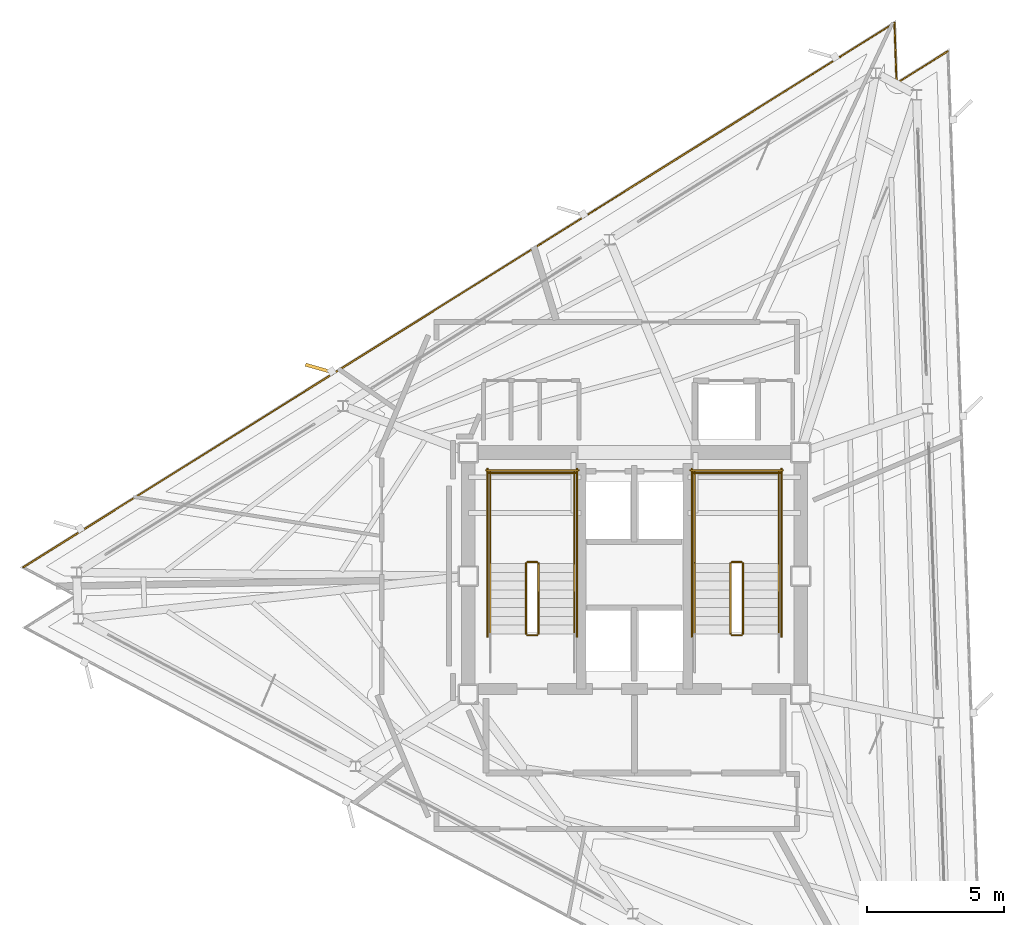
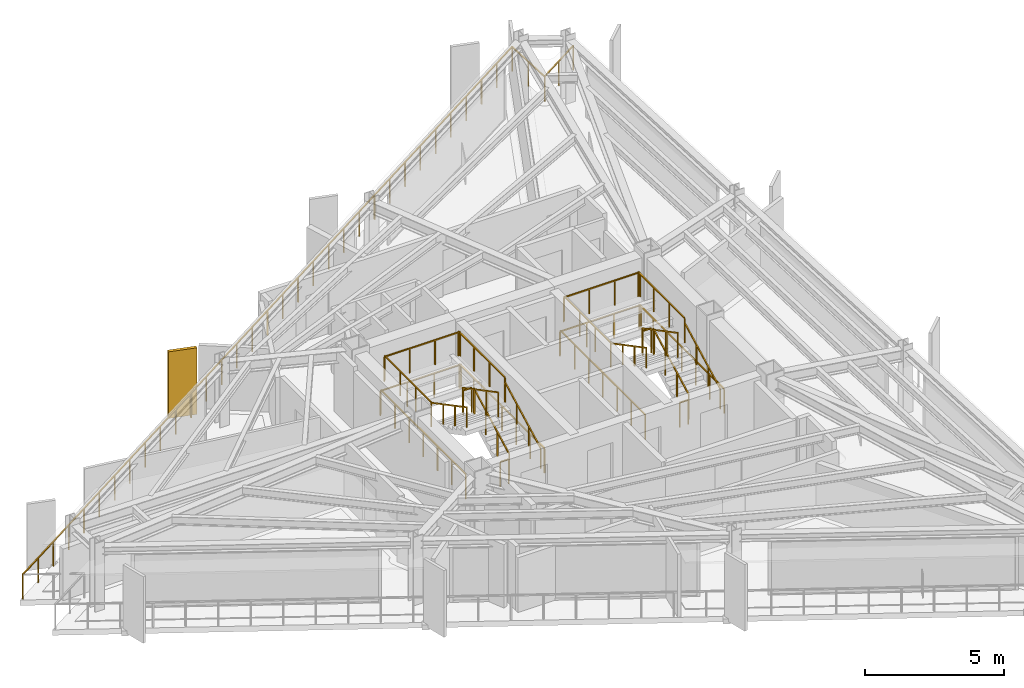
# One storey, part 12 of 13: 25 railings, 1 shading device.
"""IFC4 building model written with IfcOpenShell, lengths in metres."""

from ifc_helpers import new_model, si_unit, direction, frame, origin, origin_2d, place, context, subcontext, project, spatial, rectangle, extrude, material, layer, layer_set, type_object, element, save


model = new_model("IFC4")

# Units and contexts
model_context = context("Model", 3, precision=1e-05, world=origin(), true_north=direction((0.0, 1.0)))
body_context = subcontext(model_context, "Body", "Model", "MODEL_VIEW")
ifc_project = project(units=[si_unit("LENGTHUNIT", "METRE"), si_unit("AREAUNIT", "SQUARE_METRE"), si_unit("VOLUMEUNIT", "CUBIC_METRE"), si_unit("PLANEANGLEUNIT", "RADIAN"), si_unit("MASSUNIT", "GRAM", prefix="KILO")], contexts=[model_context])

# Site, building, storey
site_placement = place(None, origin())
site = spatial("IfcSite", under=ifc_project, at=site_placement, CompositionType="ELEMENT")
building_placement = place(site_placement, origin())
building = spatial("IfcBuilding", under=site, at=building_placement, Name="Rocaltana Carrier Exchange", CompositionType="ELEMENT")
storey_placement = place(building_placement, frame((0.0, 0.0, 199.679931640625)))
storey = spatial("IfcBuildingStorey", under=building, at=storey_placement, Name="L63", CompositionType="ELEMENT", Elevation=199.679931640625)

# Railings
ifc_material_1 = material(Name="Brushed Architectural Stainless Tube", Category="steel")
ifc_layer_1 = layer(ifc_material_1, 0.048095703125)
ifc_layer_set_1 = layer_set([ifc_layer_1], Name="Brushed Architectural Stainless Tube")
railing_type_1 = type_object("IfcRailingType", Name="Stair Wall Handrail 920", PredefinedType="HANDRAIL", material=ifc_layer_set_1)
railing_1_placement = place(storey_placement, frame((-2.18994140625, -2.10009765625, 0.1689453125)))
element("IfcRailing", 1, at=railing_1_placement, inside=storey, type_object=railing_type_1, Name="L63 ST-1 stair handrail 1", PredefinedType="HANDRAIL", context=body_context, shape_type="SweptSolid", body=[
    extrude(rectangle(XDim=0.048095703125, YDim=0.048095703125, at=origin_2d()), frame((0.0, 0.0, 0.8759765625), z_axis=(0.0, 0.884394423565, 0.466740295633), x_axis=(-1.0, 0.0, 0.0)), (0.0, 0.0, 1.0), 2.894775390625),
    extrude(rectangle(XDim=0.0419921875, YDim=0.0419921875, at=origin_2d()), origin(), (0.0, 0.0, 1.0), 0.851806640625),
    extrude(rectangle(XDim=0.0419921875, YDim=0.0419921875, at=origin_2d()), frame((0.0, 0.853271484375, 0.450439453125)), (0.0, 0.0, 1.0), 0.851806640625),
    extrude(rectangle(XDim=0.0419921875, YDim=0.0419921875, at=origin_2d()), frame((0.0, 1.706787109375, 0.900634765625)), (0.0, 0.0, 1.0), 0.851806640625),
    extrude(rectangle(XDim=0.0419921875, YDim=0.0419921875, at=origin_2d()), frame((0.0, 2.56005859375, 1.35107421875)), (0.0, 0.0, 1.0), 0.851806640625),
])
railing_2_placement = place(storey_placement, frame((-5.25, 0.4599609375, 1.68896484375)))
element("IfcRailing", 2, at=railing_2_placement, inside=storey, type_object=railing_type_1, Name="L63 ST-1 stair handrail 2", PredefinedType="HANDRAIL", context=body_context, shape_type="SweptSolid", body=[
    extrude(rectangle(XDim=0.048095703125, YDim=0.048095703125, at=origin_2d()), frame((0.0, 0.0, 0.8759765625), z_axis=(0.0, -0.884394423565, 0.466740295633), x_axis=(1.0, 0.0, 0.0)), (0.0, 0.0, 1.0), 2.894775390625),
    extrude(rectangle(XDim=0.0419921875, YDim=0.0419921875, at=origin_2d()), origin(), (0.0, 0.0, 1.0), 0.851806640625),
    extrude(rectangle(XDim=0.0419921875, YDim=0.0419921875, at=origin_2d()), frame((0.0, -0.853271484375, 0.450439453125)), (0.0, 0.0, 1.0), 0.851806640625),
    extrude(rectangle(XDim=0.0419921875, YDim=0.0419921875, at=origin_2d()), frame((0.0, -1.706787109375, 0.900634765625)), (0.0, 0.0, 1.0), 0.851806640625),
    extrude(rectangle(XDim=0.0419921875, YDim=0.0419921875, at=origin_2d()), frame((0.0, -2.56005859375, 1.35107421875)), (0.0, 0.0, 1.0), 0.851806640625),
])
railing_3_placement = place(storey_placement, frame((5.25, -2.10009765625, 0.1689453125)))
element("IfcRailing", 3, at=railing_3_placement, inside=storey, type_object=railing_type_1, Name="L63 ST-2 stair handrail 1", PredefinedType="HANDRAIL", context=body_context, shape_type="SweptSolid", body=[
    extrude(rectangle(XDim=0.048095703125, YDim=0.048095703125, at=origin_2d()), frame((0.0, 0.0, 0.8759765625), z_axis=(0.0, 0.884394423565, 0.466740295633), x_axis=(-1.0, 0.0, 0.0)), (0.0, 0.0, 1.0), 2.894775390625),
    extrude(rectangle(XDim=0.0419921875, YDim=0.0419921875, at=origin_2d()), origin(), (0.0, 0.0, 1.0), 0.851806640625),
    extrude(rectangle(XDim=0.0419921875, YDim=0.0419921875, at=origin_2d()), frame((0.0, 0.853271484375, 0.450439453125)), (0.0, 0.0, 1.0), 0.851806640625),
    extrude(rectangle(XDim=0.0419921875, YDim=0.0419921875, at=origin_2d()), frame((0.0, 1.706787109375, 0.900634765625)), (0.0, 0.0, 1.0), 0.851806640625),
    extrude(rectangle(XDim=0.0419921875, YDim=0.0419921875, at=origin_2d()), frame((0.0, 2.56005859375, 1.35107421875)), (0.0, 0.0, 1.0), 0.851806640625),
])
railing_4_placement = place(storey_placement, frame((2.18994140625, 0.4599609375, 1.68896484375)))
element("IfcRailing", 4, at=railing_4_placement, inside=storey, type_object=railing_type_1, Name="L63 ST-2 stair handrail 2", PredefinedType="HANDRAIL", context=body_context, shape_type="SweptSolid", body=[
    extrude(rectangle(XDim=0.048095703125, YDim=0.048095703125, at=origin_2d()), frame((0.0, 0.0, 0.8759765625), z_axis=(0.0, -0.884394423565, 0.466740295633), x_axis=(1.0, 0.0, 0.0)), (0.0, 0.0, 1.0), 2.894775390625),
    extrude(rectangle(XDim=0.0419921875, YDim=0.0419921875, at=origin_2d()), origin(), (0.0, 0.0, 1.0), 0.851806640625),
    extrude(rectangle(XDim=0.0419921875, YDim=0.0419921875, at=origin_2d()), frame((0.0, -0.853271484375, 0.450439453125)), (0.0, 0.0, 1.0), 0.851806640625),
    extrude(rectangle(XDim=0.0419921875, YDim=0.0419921875, at=origin_2d()), frame((0.0, -1.706787109375, 0.900634765625)), (0.0, 0.0, 1.0), 0.851806640625),
    extrude(rectangle(XDim=0.0419921875, YDim=0.0419921875, at=origin_2d()), frame((0.0, -2.56005859375, 1.35107421875)), (0.0, 0.0, 1.0), 0.851806640625),
])
ifc_material_2 = material(Name="Powder-Coated Aluminium 6063-T6", Category="aluminium")
ifc_layer_2 = layer(ifc_material_2, 0.048095703125)
ifc_layer_set_2 = layer_set([ifc_layer_2], Name="Powder-Coated Aluminium 6063-T6")
railing_type_2 = type_object("IfcRailingType", Name="Stair Well Guardrail 1100", PredefinedType="GUARDRAIL", material=ifc_layer_set_2)
railing_5_placement = place(storey_placement, frame((-3.489990234375, -2.10009765625, 0.1689453125)))
element("IfcRailing", 5, at=railing_5_placement, inside=storey, type_object=railing_type_2, Name="L63 ST-1 stair guard 1", PredefinedType="GUARDRAIL", context=body_context, shape_type="SweptSolid", body=[
    extrude(rectangle(XDim=0.048095703125, YDim=0.048095703125, at=origin_2d()), frame((0.0, 0.0, 1.076171875), z_axis=(0.0, 0.884394423565, 0.466740295633), x_axis=(-1.0, 0.0, 0.0)), (0.0, 0.0, 1.0), 2.894775390625),
    extrude(rectangle(XDim=0.0419921875, YDim=0.0419921875, at=origin_2d()), origin(), (0.0, 0.0, 1.0), 1.052001953125),
    extrude(rectangle(XDim=0.0419921875, YDim=0.0419921875, at=origin_2d()), frame((0.0, 0.853271484375, 0.450439453125)), (0.0, 0.0, 1.0), 1.052001953125),
    extrude(rectangle(XDim=0.0419921875, YDim=0.0419921875, at=origin_2d()), frame((0.0, 1.706787109375, 0.900634765625)), (0.0, 0.0, 1.0), 1.052001953125),
    extrude(rectangle(XDim=0.0419921875, YDim=0.0419921875, at=origin_2d()), frame((0.0, 2.56005859375, 1.35107421875)), (0.0, 0.0, 1.0), 1.052001953125),
])
railing_6_placement = place(storey_placement, frame((-3.5400390625, 0.510009765625, 1.52001953125)))
element("IfcRailing", 6, at=railing_6_placement, inside=storey, type_object=railing_type_2, Name="L63 ST-1 stair guard 2", PredefinedType="GUARDRAIL", context=body_context, shape_type="SweptSolid", body=[
    extrude(rectangle(XDim=0.048095703125, YDim=0.048095703125, at=origin_2d()), frame((0.0, 0.0, 1.076171875), z_axis=(-1.0, 0.0, 0.0), x_axis=(0.0, -1.0, 0.0)), (0.0, 0.0, 1.0), 0.35986328125),
    extrude(rectangle(XDim=0.0419921875, YDim=0.0419921875, at=origin_2d()), origin(), (0.0, 0.0, 1.0), 1.052001953125),
    extrude(rectangle(XDim=0.0419921875, YDim=0.0419921875, at=origin_2d()), frame((-0.35986328125, 0.0, 0.0)), (0.0, 0.0, 1.0), 1.052001953125),
])
for number, where, name in (
    (7, (-2.18994140625, 0.4599609375, 1.52001953125), "L63 ST-1 stair guard 3"),
    (8, (-5.25, 0.4599609375, 1.52001953125), "L63 ST-1 stair guard 4"),
):
    element("IfcRailing", number, at=place(storey_placement, frame(where)), inside=storey, type_object=railing_type_2, Name=name, PredefinedType="GUARDRAIL", context=body_context, shape_type="SweptSolid", body=[
        extrude(rectangle(XDim=0.048095703125, YDim=0.048095703125, at=origin_2d()), frame((0.0, 0.0, 1.076171875), z_axis=(0.0, 1.0, 0.0), x_axis=(-1.0, 0.0, 0.0)), (0.0, 0.0, 1.0), 3.340087890625),
        extrude(rectangle(XDim=0.0419921875, YDim=0.0419921875, at=origin_2d()), origin(), (0.0, 0.0, 1.0), 1.052001953125),
        extrude(rectangle(XDim=0.0419921875, YDim=0.0419921875, at=origin_2d()), frame((0.0, 1.11328125, 0.0)), (0.0, 0.0, 1.0), 1.052001953125),
        extrude(rectangle(XDim=0.0419921875, YDim=0.0419921875, at=origin_2d()), frame((0.0, 2.226806640625, 0.0)), (0.0, 0.0, 1.0), 1.052001953125),
        extrude(rectangle(XDim=0.0419921875, YDim=0.0419921875, at=origin_2d()), frame((0.0, 3.340087890625, 0.0)), (0.0, 0.0, 1.0), 1.052001953125),
    ])
railing_7_placement = place(storey_placement, frame((-2.139892578125, 3.75, 1.52001953125)))
element("IfcRailing", 9, at=railing_7_placement, inside=storey, type_object=railing_type_2, Name="L63 ST-1 stair guard 5", PredefinedType="GUARDRAIL", context=body_context, shape_type="SweptSolid", body=[
    extrude(rectangle(XDim=0.048095703125, YDim=0.048095703125, at=origin_2d()), frame((0.0, 0.0, 1.076171875), z_axis=(-1.0, 0.0, 0.0), x_axis=(0.0, -1.0, 0.0)), (0.0, 0.0, 1.0), 3.16015625),
    extrude(rectangle(XDim=0.0419921875, YDim=0.0419921875, at=origin_2d()), origin(), (0.0, 0.0, 1.0), 1.052001953125),
    extrude(rectangle(XDim=0.0419921875, YDim=0.0419921875, at=origin_2d()), frame((-1.053466796875, 0.0, 0.0)), (0.0, 0.0, 1.0), 1.052001953125),
    extrude(rectangle(XDim=0.0419921875, YDim=0.0419921875, at=origin_2d()), frame((-2.106689453125, 0.0, 0.0)), (0.0, 0.0, 1.0), 1.052001953125),
    extrude(rectangle(XDim=0.0419921875, YDim=0.0419921875, at=origin_2d()), frame((-3.16015625, 0.0, 0.0)), (0.0, 0.0, 1.0), 1.052001953125),
])
railing_8_placement = place(storey_placement, frame((-3.949951171875, 0.4599609375, 1.68896484375)))
element("IfcRailing", 10, at=railing_8_placement, inside=storey, type_object=railing_type_2, Name="L63 ST-1 stair guard 6", PredefinedType="GUARDRAIL", context=body_context, shape_type="SweptSolid", body=[
    extrude(rectangle(XDim=0.048095703125, YDim=0.048095703125, at=origin_2d()), frame((0.0, 0.0, 1.076171875), z_axis=(0.0, -0.884394423565, 0.466740295633), x_axis=(1.0, 0.0, 0.0)), (0.0, 0.0, 1.0), 2.894775390625),
    extrude(rectangle(XDim=0.0419921875, YDim=0.0419921875, at=origin_2d()), origin(), (0.0, 0.0, 1.0), 1.052001953125),
    extrude(rectangle(XDim=0.0419921875, YDim=0.0419921875, at=origin_2d()), frame((0.0, -0.853271484375, 0.450439453125)), (0.0, 0.0, 1.0), 1.052001953125),
    extrude(rectangle(XDim=0.0419921875, YDim=0.0419921875, at=origin_2d()), frame((0.0, -1.706787109375, 0.900634765625)), (0.0, 0.0, 1.0), 1.052001953125),
    extrude(rectangle(XDim=0.0419921875, YDim=0.0419921875, at=origin_2d()), frame((0.0, -2.56005859375, 1.35107421875)), (0.0, 0.0, 1.0), 1.052001953125),
])
railing_9_placement = place(storey_placement, frame((-3.5400390625, -2.14990234375, 0.0)))
element("IfcRailing", 11, at=railing_9_placement, inside=storey, type_object=railing_type_2, Name="L63 ST-1 stair guard 7", PredefinedType="GUARDRAIL", context=body_context, shape_type="SweptSolid", body=[
    extrude(rectangle(XDim=0.048095703125, YDim=0.048095703125, at=origin_2d()), frame((0.0, 0.0, 1.076171875), z_axis=(-1.0, 0.0, 0.0), x_axis=(0.0, -1.0, 0.0)), (0.0, 0.0, 1.0), 0.35986328125),
    extrude(rectangle(XDim=0.0419921875, YDim=0.0419921875, at=origin_2d()), origin(), (0.0, 0.0, 1.0), 1.052001953125),
    extrude(rectangle(XDim=0.0419921875, YDim=0.0419921875, at=origin_2d()), frame((-0.35986328125, 0.0, 0.0)), (0.0, 0.0, 1.0), 1.052001953125),
])
for number, where, name in (
    (12, (-2.090087890625, -2.199951171875, 0.0), "L63 ST-1 stair guard 10"),
    (13, (-5.35009765625, -2.199951171875, 0.0), "L63 ST-1 stair guard 11"),
):
    element("IfcRailing", number, at=place(storey_placement, frame(where)), inside=storey, type_object=railing_type_2, Name=name, PredefinedType="GUARDRAIL", context=body_context, shape_type="SweptSolid", body=[
        extrude(rectangle(XDim=0.048095703125, YDim=0.048095703125, at=origin_2d()), frame((0.0, 0.0, 1.076171875), z_axis=(0.0, 1.0, 0.0), x_axis=(-1.0, 0.0, 0.0)), (0.0, 0.0, 1.0), 6.099853515625),
        extrude(rectangle(XDim=0.0419921875, YDim=0.0419921875, at=origin_2d()), origin(), (0.0, 0.0, 1.0), 1.052001953125),
        extrude(rectangle(XDim=0.0419921875, YDim=0.0419921875, at=origin_2d()), frame((0.0, 1.0166015625, 0.0)), (0.0, 0.0, 1.0), 1.052001953125),
        extrude(rectangle(XDim=0.0419921875, YDim=0.0419921875, at=origin_2d()), frame((0.0, 2.033203125, 0.0)), (0.0, 0.0, 1.0), 1.052001953125),
        extrude(rectangle(XDim=0.0419921875, YDim=0.0419921875, at=origin_2d()), frame((0.0, 3.0498046875, 0.0)), (0.0, 0.0, 1.0), 1.052001953125),
        extrude(rectangle(XDim=0.0419921875, YDim=0.0419921875, at=origin_2d()), frame((0.0, 4.066650390625, 0.0)), (0.0, 0.0, 1.0), 1.052001953125),
        extrude(rectangle(XDim=0.0419921875, YDim=0.0419921875, at=origin_2d()), frame((0.0, 5.083251953125, 0.0)), (0.0, 0.0, 1.0), 1.052001953125),
        extrude(rectangle(XDim=0.0419921875, YDim=0.0419921875, at=origin_2d()), frame((0.0, 6.099853515625, 0.0)), (0.0, 0.0, 1.0), 1.052001953125),
    ])
railing_10_placement = place(storey_placement, frame((-2.0400390625, 3.85009765625, 0.0)))
element("IfcRailing", 14, at=railing_10_placement, inside=storey, type_object=railing_type_2, Name="L63 ST-1 stair guard 12", PredefinedType="GUARDRAIL", context=body_context, shape_type="SweptSolid", body=[
    extrude(rectangle(XDim=0.048095703125, YDim=0.048095703125, at=origin_2d()), frame((0.0, 0.0, 1.076171875), z_axis=(-1.0, 0.0, 0.0), x_axis=(0.0, -1.0, 0.0)), (0.0, 0.0, 1.0), 3.35986328125),
    extrude(rectangle(XDim=0.0419921875, YDim=0.0419921875, at=origin_2d()), origin(), (0.0, 0.0, 1.0), 1.052001953125),
    extrude(rectangle(XDim=0.0419921875, YDim=0.0419921875, at=origin_2d()), frame((-1.119873046875, 0.0, 0.0)), (0.0, 0.0, 1.0), 1.052001953125),
    extrude(rectangle(XDim=0.0419921875, YDim=0.0419921875, at=origin_2d()), frame((-2.239990234375, 0.0, 0.0)), (0.0, 0.0, 1.0), 1.052001953125),
    extrude(rectangle(XDim=0.0419921875, YDim=0.0419921875, at=origin_2d()), frame((-3.35986328125, 0.0, 0.0)), (0.0, 0.0, 1.0), 1.052001953125),
])
railing_11_placement = place(storey_placement, frame((3.949951171875, -2.10009765625, 0.1689453125)))
element("IfcRailing", 15, at=railing_11_placement, inside=storey, type_object=railing_type_2, Name="L63 ST-2 stair guard 1", PredefinedType="GUARDRAIL", context=body_context, shape_type="SweptSolid", body=[
    extrude(rectangle(XDim=0.048095703125, YDim=0.048095703125, at=origin_2d()), frame((0.0, 0.0, 1.076171875), z_axis=(0.0, 0.884394423565, 0.466740295633), x_axis=(-1.0, 0.0, 0.0)), (0.0, 0.0, 1.0), 2.894775390625),
    extrude(rectangle(XDim=0.0419921875, YDim=0.0419921875, at=origin_2d()), origin(), (0.0, 0.0, 1.0), 1.052001953125),
    extrude(rectangle(XDim=0.0419921875, YDim=0.0419921875, at=origin_2d()), frame((0.0, 0.853271484375, 0.450439453125)), (0.0, 0.0, 1.0), 1.052001953125),
    extrude(rectangle(XDim=0.0419921875, YDim=0.0419921875, at=origin_2d()), frame((0.0, 1.706787109375, 0.900634765625)), (0.0, 0.0, 1.0), 1.052001953125),
    extrude(rectangle(XDim=0.0419921875, YDim=0.0419921875, at=origin_2d()), frame((0.0, 2.56005859375, 1.35107421875)), (0.0, 0.0, 1.0), 1.052001953125),
])
railing_12_placement = place(storey_placement, frame((3.89990234375, 0.510009765625, 1.52001953125)))
element("IfcRailing", 16, at=railing_12_placement, inside=storey, type_object=railing_type_2, Name="L63 ST-2 stair guard 2", PredefinedType="GUARDRAIL", context=body_context, shape_type="SweptSolid", body=[
    extrude(rectangle(XDim=0.048095703125, YDim=0.048095703125, at=origin_2d()), frame((0.0, 0.0, 1.076171875), z_axis=(-1.0, 0.0, 0.0), x_axis=(0.0, -1.0, 0.0)), (0.0, 0.0, 1.0), 0.35986328125),
    extrude(rectangle(XDim=0.0419921875, YDim=0.0419921875, at=origin_2d()), origin(), (0.0, 0.0, 1.0), 1.052001953125),
    extrude(rectangle(XDim=0.0419921875, YDim=0.0419921875, at=origin_2d()), frame((-0.35986328125, 0.0, 0.0)), (0.0, 0.0, 1.0), 1.052001953125),
])
for number, where, name in (
    (17, (5.25, 0.4599609375, 1.52001953125), "L63 ST-2 stair guard 3"),
    (18, (2.18994140625, 0.4599609375, 1.52001953125), "L63 ST-2 stair guard 4"),
):
    element("IfcRailing", number, at=place(storey_placement, frame(where)), inside=storey, type_object=railing_type_2, Name=name, PredefinedType="GUARDRAIL", context=body_context, shape_type="SweptSolid", body=[
        extrude(rectangle(XDim=0.048095703125, YDim=0.048095703125, at=origin_2d()), frame((0.0, 0.0, 1.076171875), z_axis=(0.0, 1.0, 0.0), x_axis=(-1.0, 0.0, 0.0)), (0.0, 0.0, 1.0), 3.340087890625),
        extrude(rectangle(XDim=0.0419921875, YDim=0.0419921875, at=origin_2d()), origin(), (0.0, 0.0, 1.0), 1.052001953125),
        extrude(rectangle(XDim=0.0419921875, YDim=0.0419921875, at=origin_2d()), frame((0.0, 1.11328125, 0.0)), (0.0, 0.0, 1.0), 1.052001953125),
        extrude(rectangle(XDim=0.0419921875, YDim=0.0419921875, at=origin_2d()), frame((0.0, 2.226806640625, 0.0)), (0.0, 0.0, 1.0), 1.052001953125),
        extrude(rectangle(XDim=0.0419921875, YDim=0.0419921875, at=origin_2d()), frame((0.0, 3.340087890625, 0.0)), (0.0, 0.0, 1.0), 1.052001953125),
    ])
railing_13_placement = place(storey_placement, frame((5.300048828125, 3.75, 1.52001953125)))
element("IfcRailing", 19, at=railing_13_placement, inside=storey, type_object=railing_type_2, Name="L63 ST-2 stair guard 5", PredefinedType="GUARDRAIL", context=body_context, shape_type="SweptSolid", body=[
    extrude(rectangle(XDim=0.048095703125, YDim=0.048095703125, at=origin_2d()), frame((0.0, 0.0, 1.076171875), z_axis=(-1.0, 0.0, 0.0), x_axis=(0.0, -1.0, 0.0)), (0.0, 0.0, 1.0), 3.16015625),
    extrude(rectangle(XDim=0.0419921875, YDim=0.0419921875, at=origin_2d()), origin(), (0.0, 0.0, 1.0), 1.052001953125),
    extrude(rectangle(XDim=0.0419921875, YDim=0.0419921875, at=origin_2d()), frame((-1.053466796875, 0.0, 0.0)), (0.0, 0.0, 1.0), 1.052001953125),
    extrude(rectangle(XDim=0.0419921875, YDim=0.0419921875, at=origin_2d()), frame((-2.106689453125, 0.0, 0.0)), (0.0, 0.0, 1.0), 1.052001953125),
    extrude(rectangle(XDim=0.0419921875, YDim=0.0419921875, at=origin_2d()), frame((-3.16015625, 0.0, 0.0)), (0.0, 0.0, 1.0), 1.052001953125),
])
railing_14_placement = place(storey_placement, frame((3.489990234375, 0.4599609375, 1.68896484375)))
element("IfcRailing", 20, at=railing_14_placement, inside=storey, type_object=railing_type_2, Name="L63 ST-2 stair guard 6", PredefinedType="GUARDRAIL", context=body_context, shape_type="SweptSolid", body=[
    extrude(rectangle(XDim=0.048095703125, YDim=0.048095703125, at=origin_2d()), frame((0.0, 0.0, 1.076171875), z_axis=(0.0, -0.884394423565, 0.466740295633), x_axis=(1.0, 0.0, 0.0)), (0.0, 0.0, 1.0), 2.894775390625),
    extrude(rectangle(XDim=0.0419921875, YDim=0.0419921875, at=origin_2d()), origin(), (0.0, 0.0, 1.0), 1.052001953125),
    extrude(rectangle(XDim=0.0419921875, YDim=0.0419921875, at=origin_2d()), frame((0.0, -0.853271484375, 0.450439453125)), (0.0, 0.0, 1.0), 1.052001953125),
    extrude(rectangle(XDim=0.0419921875, YDim=0.0419921875, at=origin_2d()), frame((0.0, -1.706787109375, 0.900634765625)), (0.0, 0.0, 1.0), 1.052001953125),
    extrude(rectangle(XDim=0.0419921875, YDim=0.0419921875, at=origin_2d()), frame((0.0, -2.56005859375, 1.35107421875)), (0.0, 0.0, 1.0), 1.052001953125),
])
railing_15_placement = place(storey_placement, frame((3.89990234375, -2.14990234375, 0.0)))
element("IfcRailing", 21, at=railing_15_placement, inside=storey, type_object=railing_type_2, Name="L63 ST-2 stair guard 7", PredefinedType="GUARDRAIL", context=body_context, shape_type="SweptSolid", body=[
    extrude(rectangle(XDim=0.048095703125, YDim=0.048095703125, at=origin_2d()), frame((0.0, 0.0, 1.076171875), z_axis=(-1.0, 0.0, 0.0), x_axis=(0.0, -1.0, 0.0)), (0.0, 0.0, 1.0), 0.35986328125),
    extrude(rectangle(XDim=0.0419921875, YDim=0.0419921875, at=origin_2d()), origin(), (0.0, 0.0, 1.0), 1.052001953125),
    extrude(rectangle(XDim=0.0419921875, YDim=0.0419921875, at=origin_2d()), frame((-0.35986328125, 0.0, 0.0)), (0.0, 0.0, 1.0), 1.052001953125),
])
for number, where, name in (
    (22, (5.35009765625, -2.199951171875, 0.0), "L63 ST-2 stair guard 10"),
    (23, (2.090087890625, -2.199951171875, 0.0), "L63 ST-2 stair guard 11"),
):
    element("IfcRailing", number, at=place(storey_placement, frame(where)), inside=storey, type_object=railing_type_2, Name=name, PredefinedType="GUARDRAIL", context=body_context, shape_type="SweptSolid", body=[
        extrude(rectangle(XDim=0.048095703125, YDim=0.048095703125, at=origin_2d()), frame((0.0, 0.0, 1.076171875), z_axis=(0.0, 1.0, 0.0), x_axis=(-1.0, 0.0, 0.0)), (0.0, 0.0, 1.0), 6.099853515625),
        extrude(rectangle(XDim=0.0419921875, YDim=0.0419921875, at=origin_2d()), origin(), (0.0, 0.0, 1.0), 1.052001953125),
        extrude(rectangle(XDim=0.0419921875, YDim=0.0419921875, at=origin_2d()), frame((0.0, 1.0166015625, 0.0)), (0.0, 0.0, 1.0), 1.052001953125),
        extrude(rectangle(XDim=0.0419921875, YDim=0.0419921875, at=origin_2d()), frame((0.0, 2.033203125, 0.0)), (0.0, 0.0, 1.0), 1.052001953125),
        extrude(rectangle(XDim=0.0419921875, YDim=0.0419921875, at=origin_2d()), frame((0.0, 3.0498046875, 0.0)), (0.0, 0.0, 1.0), 1.052001953125),
        extrude(rectangle(XDim=0.0419921875, YDim=0.0419921875, at=origin_2d()), frame((0.0, 4.066650390625, 0.0)), (0.0, 0.0, 1.0), 1.052001953125),
        extrude(rectangle(XDim=0.0419921875, YDim=0.0419921875, at=origin_2d()), frame((0.0, 5.083251953125, 0.0)), (0.0, 0.0, 1.0), 1.052001953125),
        extrude(rectangle(XDim=0.0419921875, YDim=0.0419921875, at=origin_2d()), frame((0.0, 6.099853515625, 0.0)), (0.0, 0.0, 1.0), 1.052001953125),
    ])
railing_16_placement = place(storey_placement, frame((5.39990234375, 3.85009765625, 0.0)))
element("IfcRailing", 24, at=railing_16_placement, inside=storey, type_object=railing_type_2, Name="L63 ST-2 stair guard 12", PredefinedType="GUARDRAIL", context=body_context, shape_type="SweptSolid", body=[
    extrude(rectangle(XDim=0.048095703125, YDim=0.048095703125, at=origin_2d()), frame((0.0, 0.0, 1.076171875), z_axis=(-1.0, 0.0, 0.0), x_axis=(0.0, -1.0, 0.0)), (0.0, 0.0, 1.0), 3.35986328125),
    extrude(rectangle(XDim=0.0419921875, YDim=0.0419921875, at=origin_2d()), origin(), (0.0, 0.0, 1.0), 1.052001953125),
    extrude(rectangle(XDim=0.0419921875, YDim=0.0419921875, at=origin_2d()), frame((-1.119873046875, 0.0, 0.0)), (0.0, 0.0, 1.0), 1.052001953125),
    extrude(rectangle(XDim=0.0419921875, YDim=0.0419921875, at=origin_2d()), frame((-2.239990234375, 0.0, 0.0)), (0.0, 0.0, 1.0), 1.052001953125),
    extrude(rectangle(XDim=0.0419921875, YDim=0.0419921875, at=origin_2d()), frame((-3.35986328125, 0.0, 0.0)), (0.0, 0.0, 1.0), 1.052001953125),
])

# Shading device
ifc_material_3 = material(Name="Honed Bogota Sandstone & Concrete C45/55", Category="masonry")
ifc_layer_3 = layer(ifc_material_3, 0.1201171875)
ifc_layer_set_3 = layer_set([ifc_layer_3], Name="Honed Bogota Sandstone & Concrete C45/55")
shading_device_type = type_object("IfcShadingDeviceType", Name="Upper Sandstone Shading Fin 1050x120", PredefinedType="USERDEFINED", material=ifc_layer_set_3)
shading_device_placement = place(storey_placement, frame((-11.470703125, 7.55419921875, -0.119873046875), z_axis=(0.0, 0.0, 1.0), x_axis=(-0.961261695938, 0.275637355817, 0.0)))
element("IfcShadingDevice", 25, at=shading_device_placement, inside=storey, type_object=shading_device_type, Name="L63 Sandstone Vertical Fin F2-03", ObjectType="FIN", PredefinedType="USERDEFINED", context=body_context, shape_type="SweptSolid", body=[
    extrude(rectangle(XDim=1.050048828125, YDim=0.1201171875, at=origin_2d()), origin(), (0.0, 0.0, 1.0), 2.91796875),
])

# Railing
ifc_material_4 = material(Name="Powder-Coated Aluminium 6063-T6", Category="aluminium")
ifc_layer_4 = layer(ifc_material_4, 0.06005859375)
ifc_layer_set_4 = layer_set([ifc_layer_4], Name="Powder-Coated Aluminium 6063-T6")
railing_type_3 = type_object("IfcRailingType", Name="Wind-Floor & Terrace Perimeter Guardrail 1100", PredefinedType="GUARDRAIL", material=ifc_layer_set_4)
railing_17_placement = place(storey_placement, frame((-22.248291015625, 0.32373046875, 0.0)))
element("IfcRailing", 26, at=railing_17_placement, inside=storey, type_object=railing_type_3, Name="L63 Perimeter Balcony Guardrail 2", PredefinedType="GUARDRAIL", context=body_context, shape_type="SweptSolid", body=[
    extrude(rectangle(XDim=0.048095703125, YDim=0.048095703125, at=origin_2d()), frame((0.0, 0.0, 1.076171875), z_axis=(0.848050386707, 0.529915598568, 0.0), x_axis=(-0.529915598568, 0.848050386707, 0.0)), (0.0, 0.0, 1.0), 37.39208984375),
    extrude(rectangle(XDim=0.048095703125, YDim=0.048095703125, at=origin_2d()), frame((31.71044921875, 19.814697265625, 1.076171875), z_axis=(0.034848337617, -0.999392612223, 0.0), x_axis=(0.999392612223, 0.034848337617, 0.0)), (0.0, 0.0, 1.0), 2.19970703125),
    extrude(rectangle(XDim=0.048095703125, YDim=0.048095703125, at=origin_2d()), frame((31.787109375, 17.6162109375, 1.076171875), z_axis=(0.848060642886, 0.52989918474, 0.0), x_axis=(-0.52989918474, 0.848060642886, 0.0)), (0.0, 0.0, 1.0), 2.199951171875),
    extrude(rectangle(XDim=0.0419921875, YDim=0.0419921875, at=origin_2d()), origin(), (0.0, 0.0, 1.0), 1.052001953125),
    extrude(rectangle(XDim=0.0419921875, YDim=0.0419921875, at=origin_2d()), frame((0.990966796875, 0.619140625, 0.0)), (0.0, 0.0, 1.0), 1.052001953125),
    extrude(rectangle(XDim=0.0419921875, YDim=0.0419921875, at=origin_2d()), frame((1.98193359375, 1.238525390625, 0.0)), (0.0, 0.0, 1.0), 1.052001953125),
    extrude(rectangle(XDim=0.0419921875, YDim=0.0419921875, at=origin_2d()), frame((2.972900390625, 1.857666015625, 0.0)), (0.0, 0.0, 1.0), 1.052001953125),
    extrude(rectangle(XDim=0.0419921875, YDim=0.0419921875, at=origin_2d()), frame((3.9638671875, 2.476806640625, 0.0)), (0.0, 0.0, 1.0), 1.052001953125),
    extrude(rectangle(XDim=0.0419921875, YDim=0.0419921875, at=origin_2d()), frame((4.954833984375, 3.095947265625, 0.0)), (0.0, 0.0, 1.0), 1.052001953125),
    extrude(rectangle(XDim=0.0419921875, YDim=0.0419921875, at=origin_2d()), frame((5.94580078125, 3.71533203125, 0.0)), (0.0, 0.0, 1.0), 1.052001953125),
    extrude(rectangle(XDim=0.0419921875, YDim=0.0419921875, at=origin_2d()), frame((6.936767578125, 4.33447265625, 0.0)), (0.0, 0.0, 1.0), 1.052001953125),
    extrude(rectangle(XDim=0.0419921875, YDim=0.0419921875, at=origin_2d()), frame((7.927734375, 4.95361328125, 0.0)), (0.0, 0.0, 1.0), 1.052001953125),
    extrude(rectangle(XDim=0.0419921875, YDim=0.0419921875, at=origin_2d()), frame((8.91845703125, 5.572998046875, 0.0)), (0.0, 0.0, 1.0), 1.052001953125),
    extrude(rectangle(XDim=0.0419921875, YDim=0.0419921875, at=origin_2d()), frame((9.909423828125, 6.192138671875, 0.0)), (0.0, 0.0, 1.0), 1.052001953125),
    extrude(rectangle(XDim=0.0419921875, YDim=0.0419921875, at=origin_2d()), frame((10.900390625, 6.811279296875, 0.0)), (0.0, 0.0, 1.0), 1.052001953125),
    extrude(rectangle(XDim=0.0419921875, YDim=0.0419921875, at=origin_2d()), frame((11.891357421875, 7.430419921875, 0.0)), (0.0, 0.0, 1.0), 1.052001953125),
    extrude(rectangle(XDim=0.0419921875, YDim=0.0419921875, at=origin_2d()), frame((12.88232421875, 8.0498046875, 0.0)), (0.0, 0.0, 1.0), 1.052001953125),
    extrude(rectangle(XDim=0.0419921875, YDim=0.0419921875, at=origin_2d()), frame((13.873291015625, 8.6689453125, 0.0)), (0.0, 0.0, 1.0), 1.052001953125),
    extrude(rectangle(XDim=0.0419921875, YDim=0.0419921875, at=origin_2d()), frame((14.8642578125, 9.2880859375, 0.0)), (0.0, 0.0, 1.0), 1.052001953125),
    extrude(rectangle(XDim=0.0419921875, YDim=0.0419921875, at=origin_2d()), frame((15.855224609375, 9.9072265625, 0.0)), (0.0, 0.0, 1.0), 1.052001953125),
    extrude(rectangle(XDim=0.0419921875, YDim=0.0419921875, at=origin_2d()), frame((16.84619140625, 10.526611328125, 0.0)), (0.0, 0.0, 1.0), 1.052001953125),
    extrude(rectangle(XDim=0.0419921875, YDim=0.0419921875, at=origin_2d()), frame((17.837158203125, 11.145751953125, 0.0)), (0.0, 0.0, 1.0), 1.052001953125),
    extrude(rectangle(XDim=0.0419921875, YDim=0.0419921875, at=origin_2d()), frame((18.828125, 11.764892578125, 0.0)), (0.0, 0.0, 1.0), 1.052001953125),
    extrude(rectangle(XDim=0.0419921875, YDim=0.0419921875, at=origin_2d()), frame((19.819091796875, 12.38427734375, 0.0)), (0.0, 0.0, 1.0), 1.052001953125),
    extrude(rectangle(XDim=0.0419921875, YDim=0.0419921875, at=origin_2d()), frame((20.81005859375, 13.00341796875, 0.0)), (0.0, 0.0, 1.0), 1.052001953125),
    extrude(rectangle(XDim=0.0419921875, YDim=0.0419921875, at=origin_2d()), frame((21.801025390625, 13.62255859375, 0.0)), (0.0, 0.0, 1.0), 1.052001953125),
    extrude(rectangle(XDim=0.0419921875, YDim=0.0419921875, at=origin_2d()), frame((22.7919921875, 14.24169921875, 0.0)), (0.0, 0.0, 1.0), 1.052001953125),
    extrude(rectangle(XDim=0.0419921875, YDim=0.0419921875, at=origin_2d()), frame((23.78271484375, 14.861083984375, 0.0)), (0.0, 0.0, 1.0), 1.052001953125),
    extrude(rectangle(XDim=0.0419921875, YDim=0.0419921875, at=origin_2d()), frame((24.773681640625, 15.480224609375, 0.0)), (0.0, 0.0, 1.0), 1.052001953125),
    extrude(rectangle(XDim=0.0419921875, YDim=0.0419921875, at=origin_2d()), frame((25.7646484375, 16.099365234375, 0.0)), (0.0, 0.0, 1.0), 1.052001953125),
    extrude(rectangle(XDim=0.0419921875, YDim=0.0419921875, at=origin_2d()), frame((26.755615234375, 16.71875, 0.0)), (0.0, 0.0, 1.0), 1.052001953125),
    extrude(rectangle(XDim=0.0419921875, YDim=0.0419921875, at=origin_2d()), frame((27.74658203125, 17.337890625, 0.0)), (0.0, 0.0, 1.0), 1.052001953125),
    extrude(rectangle(XDim=0.0419921875, YDim=0.0419921875, at=origin_2d()), frame((28.737548828125, 17.95703125, 0.0)), (0.0, 0.0, 1.0), 1.052001953125),
    extrude(rectangle(XDim=0.0419921875, YDim=0.0419921875, at=origin_2d()), frame((29.728515625, 18.576171875, 0.0)), (0.0, 0.0, 1.0), 1.052001953125),
    extrude(rectangle(XDim=0.0419921875, YDim=0.0419921875, at=origin_2d()), frame((30.719482421875, 19.195556640625, 0.0)), (0.0, 0.0, 1.0), 1.052001953125),
    extrude(rectangle(XDim=0.0419921875, YDim=0.0419921875, at=origin_2d()), frame((31.71044921875, 19.814697265625, 0.0)), (0.0, 0.0, 1.0), 1.052001953125),
    extrude(rectangle(XDim=0.0419921875, YDim=0.0419921875, at=origin_2d()), frame((31.748779296875, 18.71533203125, 0.0)), (0.0, 0.0, 1.0), 1.052001953125),
    extrude(rectangle(XDim=0.0419921875, YDim=0.0419921875, at=origin_2d()), frame((31.787109375, 17.6162109375, 0.0)), (0.0, 0.0, 1.0), 1.052001953125),
    extrude(rectangle(XDim=0.0419921875, YDim=0.0419921875, at=origin_2d()), frame((32.719970703125, 18.19921875, 0.0)), (0.0, 0.0, 1.0), 1.052001953125),
    extrude(rectangle(XDim=0.0419921875, YDim=0.0419921875, at=origin_2d()), frame((33.65283203125, 18.781982421875, 0.0)), (0.0, 0.0, 1.0), 1.052001953125),
])

save(model, "model.ifc")
